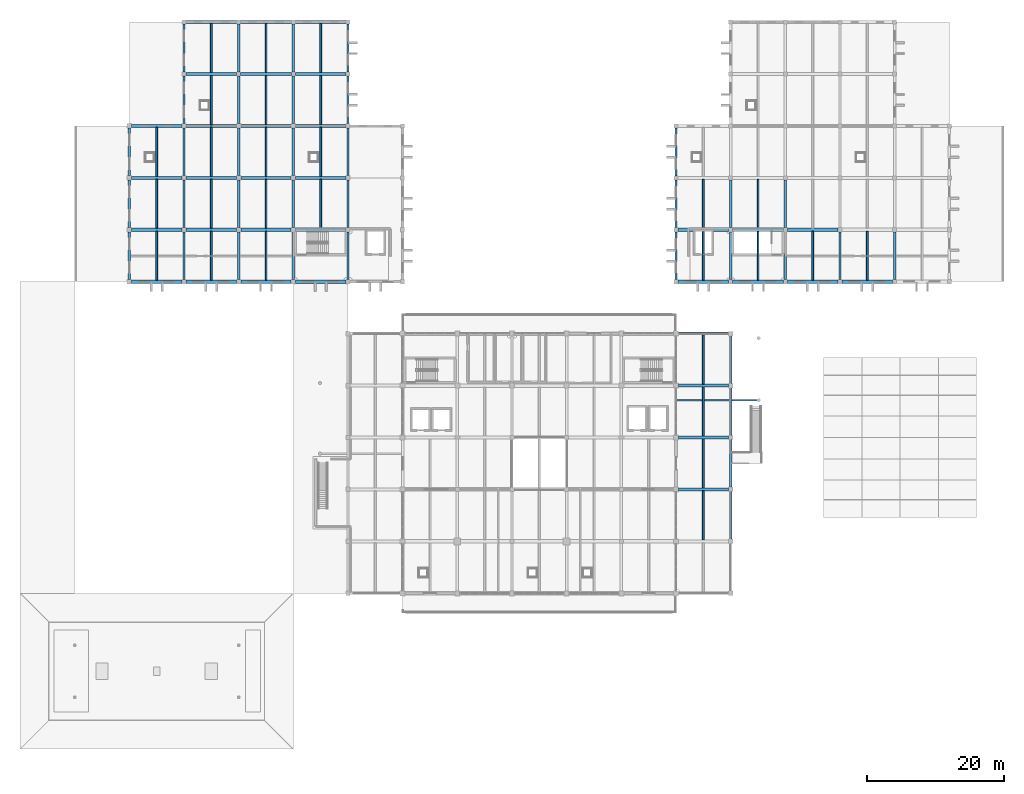
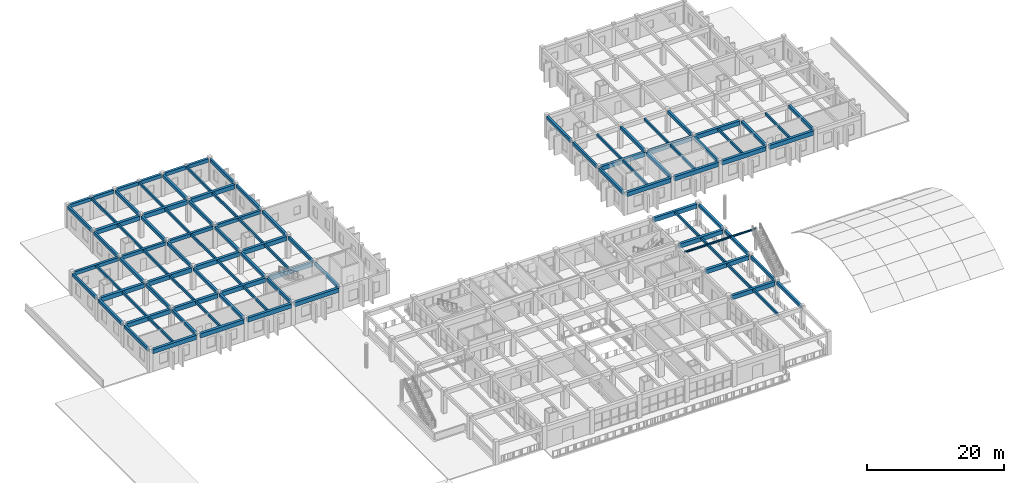
# One storey, part 30 of 63: 97 beams.
"""IFC4 building model written with IfcOpenShell, lengths in metres."""

from ifc_helpers import new_model, si_unit, direction, frame, origin, origin_2d, place, context, subcontext, project, spatial, rectangle, i_section, extrude, material, material_profile, profile_set, type_object, element, save


model = new_model("IFC4")

# Units and contexts
model_context = context("Model", 3, precision=1e-05, world=origin(), true_north=direction((0.0, 1.0)))
body_context = subcontext(model_context, "Body", "Model", "MODEL_VIEW")
ifc_project = project(units=[si_unit("LENGTHUNIT", "METRE"), si_unit("AREAUNIT", "SQUARE_METRE"), si_unit("VOLUMEUNIT", "CUBIC_METRE"), si_unit("PLANEANGLEUNIT", "RADIAN"), si_unit("MASSUNIT", "GRAM", prefix="KILO")], contexts=[model_context])

# Site, building, storey
site_placement = place(None, origin())
site = spatial("IfcSite", under=ifc_project, at=site_placement, CompositionType="ELEMENT")
building_placement = place(site_placement, origin())
building = spatial("IfcBuilding", under=site, at=building_placement, Name="Zantavel Square City Hall", CompositionType="ELEMENT")
storey_placement = place(building_placement, frame((0.0, 0.0, 14.699951171875)))
storey = spatial("IfcBuildingStorey", under=building, at=storey_placement, Name="L04", CompositionType="ELEMENT", Elevation=14.699951171875)

# Beams
ifc_material_1 = material(Name="Concrete C35/45", Category="concrete")
ifc_material_profile_1 = material_profile(ifc_material_1, rectangle(XDim=0.25, YDim=0.449951171875, at=origin_2d()), Name="RC 250x450")
ifc_profile_set_1 = profile_set([ifc_material_profile_1], Name="Concrete C35/45")
beam_type_1 = type_object("IfcBeamType", Name="Light Floor Joist RC 250x450 C35/45", PredefinedType="JOIST", material=ifc_profile_set_1)
beam_1_placement = place(storey_placement, frame((28.0, 76.22509765625, 3.695068359375), z_axis=(0.0, 1.0, 0.0), x_axis=(-1.0, 0.0, 0.0)))
element("IfcBeam", 1, at=beam_1_placement, inside=storey, type_object=beam_type_1, Name="L04 Floor Joist JST-L04-0280-0760", PredefinedType="JOIST", context=body_context, shape_type="SweptSolid", body=[
    extrude(rectangle(XDim=0.25, YDim=0.449951171875, at=origin_2d()), origin(), (0.0, 0.0, 1.0), 7.14990234375),
])
beam_2_placement = place(storey_placement, frame((28.0, 83.824951171875, 3.695068359375), z_axis=(0.0, 1.0, 0.0), x_axis=(-1.0, 0.0, 0.0)))
element("IfcBeam", 2, at=beam_2_placement, inside=storey, type_object=beam_type_1, Name="L04 Floor Joist JST-L04-0280-0836", PredefinedType="JOIST", context=body_context, shape_type="SweptSolid", body=[
    extrude(rectangle(XDim=0.25, YDim=0.449951171875, at=origin_2d()), origin(), (0.0, 0.0, 1.0), 7.150146484375),
])
beam_3_placement = place(storey_placement, frame((28.0, 91.425048828125, 3.695068359375), z_axis=(0.0, 1.0, 0.0), x_axis=(-1.0, 0.0, 0.0)))
element("IfcBeam", 3, at=beam_3_placement, inside=storey, type_object=beam_type_1, Name="L04 Floor Joist JST-L04-0280-0912", PredefinedType="JOIST", context=body_context, shape_type="SweptSolid", body=[
    extrude(rectangle(XDim=0.25, YDim=0.449951171875, at=origin_2d()), origin(), (0.0, 0.0, 1.0), 7.175048828125),
])
beam_4_placement = place(storey_placement, frame((36.0, 76.22509765625, 3.695068359375), z_axis=(0.0, 1.0, 0.0), x_axis=(-1.0, 0.0, 0.0)))
element("IfcBeam", 4, at=beam_4_placement, inside=storey, type_object=beam_type_1, Name="L04 Floor Joist JST-L04-0360-0760", PredefinedType="JOIST", context=body_context, shape_type="SweptSolid", body=[
    extrude(rectangle(XDim=0.25, YDim=0.449951171875, at=origin_2d()), origin(), (0.0, 0.0, 1.0), 7.14990234375),
])
beam_5_placement = place(storey_placement, frame((36.0, 83.824951171875, 3.695068359375), z_axis=(0.0, 1.0, 0.0), x_axis=(-1.0, 0.0, 0.0)))
element("IfcBeam", 5, at=beam_5_placement, inside=storey, type_object=beam_type_1, Name="L04 Floor Joist JST-L04-0360-0836", PredefinedType="JOIST", context=body_context, shape_type="SweptSolid", body=[
    extrude(rectangle(XDim=0.25, YDim=0.449951171875, at=origin_2d()), origin(), (0.0, 0.0, 1.0), 7.150146484375),
])
for number, where, z_axis, x_axis, name in (
    (6, (36.0, 91.425048828125, 3.695068359375), (0.0, 1.0, 0.0), (-1.0, 0.0, 0.0), "L04 Floor Joist JST-L04-0360-0912"),
    (7, (36.0, 99.0, 3.695068359375), (0.0, 1.0, 0.0), (-1.0, 0.0, 0.0), "L04 Floor Joist JST-L04-0360-0988"),
    (8, (36.0, 106.625, 3.695068359375), (0.0, 1.0, 0.0), (-1.0, 0.0, 0.0), "L04 Floor Joist JST-L04-0360-1064"),
):
    element("IfcBeam", number, at=place(storey_placement, frame(where, z_axis=z_axis, x_axis=x_axis)), inside=storey, type_object=beam_type_1, Name=name, PredefinedType="JOIST", context=body_context, shape_type="SweptSolid", body=[
        extrude(rectangle(XDim=0.25, YDim=0.449951171875, at=origin_2d()), origin(), (0.0, 0.0, 1.0), 7.175048828125),
    ])
beam_6_placement = place(storey_placement, frame((44.0, 76.22509765625, 3.695068359375), z_axis=(0.0, 1.0, 0.0), x_axis=(-1.0, 0.0, 0.0)))
element("IfcBeam", 9, at=beam_6_placement, inside=storey, type_object=beam_type_1, Name="L04 Floor Joist JST-L04-0440-0760", PredefinedType="JOIST", context=body_context, shape_type="SweptSolid", body=[
    extrude(rectangle(XDim=0.25, YDim=0.449951171875, at=origin_2d()), origin(), (0.0, 0.0, 1.0), 7.14990234375),
])
beam_7_placement = place(storey_placement, frame((44.0, 83.824951171875, 3.695068359375), z_axis=(0.0, 1.0, 0.0), x_axis=(-1.0, 0.0, 0.0)))
element("IfcBeam", 10, at=beam_7_placement, inside=storey, type_object=beam_type_1, Name="L04 Floor Joist JST-L04-0440-0836", PredefinedType="JOIST", context=body_context, shape_type="SweptSolid", body=[
    extrude(rectangle(XDim=0.25, YDim=0.449951171875, at=origin_2d()), origin(), (0.0, 0.0, 1.0), 7.150146484375),
])
for number, where, z_axis, x_axis, name in (
    (11, (44.0, 91.425048828125, 3.695068359375), (0.0, 1.0, 0.0), (-1.0, 0.0, 0.0), "L04 Floor Joist JST-L04-0440-0912"),
    (12, (44.0, 99.0, 3.695068359375), (0.0, 1.0, 0.0), (-1.0, 0.0, 0.0), "L04 Floor Joist JST-L04-0440-0988"),
    (13, (44.0, 106.625, 3.695068359375), (0.0, 1.0, 0.0), (-1.0, 0.0, 0.0), "L04 Floor Joist JST-L04-0440-1064"),
):
    element("IfcBeam", number, at=place(storey_placement, frame(where, z_axis=z_axis, x_axis=x_axis)), inside=storey, type_object=beam_type_1, Name=name, PredefinedType="JOIST", context=body_context, shape_type="SweptSolid", body=[
        extrude(rectangle(XDim=0.25, YDim=0.449951171875, at=origin_2d()), origin(), (0.0, 0.0, 1.0), 7.175048828125),
    ])
beam_8_placement = place(storey_placement, frame((52.0, 83.824951171875, 3.695068359375), z_axis=(0.0, 1.0, 0.0), x_axis=(-1.0, 0.0, 0.0)))
element("IfcBeam", 14, at=beam_8_placement, inside=storey, type_object=beam_type_1, Name="L04 Floor Joist JST-L04-0520-0836", PredefinedType="JOIST", context=body_context, shape_type="SweptSolid", body=[
    extrude(rectangle(XDim=0.25, YDim=0.449951171875, at=origin_2d()), origin(), (0.0, 0.0, 1.0), 7.150146484375),
])
for number, where, z_axis, x_axis, name in (
    (15, (52.0, 91.425048828125, 3.695068359375), (0.0, 1.0, 0.0), (-1.0, 0.0, 0.0), "L04 Floor Joist JST-L04-0520-0912"),
    (16, (52.0, 99.0, 3.695068359375), (0.0, 1.0, 0.0), (-1.0, 0.0, 0.0), "L04 Floor Joist JST-L04-0520-0988"),
    (17, (52.0, 106.625, 3.695068359375), (0.0, 1.0, 0.0), (-1.0, 0.0, 0.0), "L04 Floor Joist JST-L04-0520-1064"),
):
    element("IfcBeam", number, at=place(storey_placement, frame(where, z_axis=z_axis, x_axis=x_axis)), inside=storey, type_object=beam_type_1, Name=name, PredefinedType="JOIST", context=body_context, shape_type="SweptSolid", body=[
        extrude(rectangle(XDim=0.25, YDim=0.449951171875, at=origin_2d()), origin(), (0.0, 0.0, 1.0), 7.175048828125),
    ])
beam_9_placement = place(storey_placement, frame((108.0, 38.22509765625, 3.695068359375), z_axis=(0.0, 1.0, 0.0), x_axis=(-1.0, 0.0, 0.0)))
element("IfcBeam", 18, at=beam_9_placement, inside=storey, type_object=beam_type_1, Name="L04 Floor Joist JST-L04-1080-0380", PredefinedType="JOIST", context=body_context, shape_type="SweptSolid", body=[
    extrude(rectangle(XDim=0.25, YDim=0.449951171875, at=origin_2d()), origin(), (0.0, 0.0, 1.0), 7.14990234375),
])
beam_10_placement = place(storey_placement, frame((108.0, 45.824951171875, 3.695068359375), z_axis=(0.0, 1.0, 0.0), x_axis=(-1.0, 0.0, 0.0)))
element("IfcBeam", 19, at=beam_10_placement, inside=storey, type_object=beam_type_1, Name="L04 Floor Joist JST-L04-1080-0456", PredefinedType="JOIST", context=body_context, shape_type="SweptSolid", body=[
    extrude(rectangle(XDim=0.25, YDim=0.449951171875, at=origin_2d()), origin(), (0.0, 0.0, 1.0), 7.150146484375),
])
beam_11_placement = place(storey_placement, frame((108.0, 53.425048828125, 3.695068359375), z_axis=(0.0, 1.0, 0.0), x_axis=(-1.0, 0.0, 0.0)))
element("IfcBeam", 20, at=beam_11_placement, inside=storey, type_object=beam_type_1, Name="L04 Floor Joist JST-L04-1080-0532", PredefinedType="JOIST", context=body_context, shape_type="SweptSolid", body=[
    extrude(rectangle(XDim=0.25, YDim=0.449951171875, at=origin_2d()), origin(), (0.0, 0.0, 1.0), 7.14990234375),
])
beam_12_placement = place(storey_placement, frame((108.0, 61.02490234375, 3.695068359375), z_axis=(0.0, 1.0, 0.0), x_axis=(-1.0, 0.0, 0.0)))
element("IfcBeam", 21, at=beam_12_placement, inside=storey, type_object=beam_type_1, Name="L04 Floor Joist JST-L04-1080-0608", PredefinedType="JOIST", context=body_context, shape_type="SweptSolid", body=[
    extrude(rectangle(XDim=0.25, YDim=0.449951171875, at=origin_2d()), origin(), (0.0, 0.0, 1.0), 7.150146484375),
])
beam_13_placement = place(storey_placement, frame((108.0, 76.22509765625, 3.695068359375), z_axis=(0.0, 1.0, 0.0), x_axis=(-1.0, 0.0, 0.0)))
element("IfcBeam", 22, at=beam_13_placement, inside=storey, type_object=beam_type_1, Name="L04 Floor Joist JST-L04-1080-0760", PredefinedType="JOIST", context=body_context, shape_type="SweptSolid", body=[
    extrude(rectangle(XDim=0.25, YDim=0.449951171875, at=origin_2d()), origin(), (0.0, 0.0, 1.0), 7.14990234375),
])
beam_14_placement = place(storey_placement, frame((108.0, 83.824951171875, 3.695068359375), z_axis=(0.0, 1.0, 0.0), x_axis=(-1.0, 0.0, 0.0)))
element("IfcBeam", 23, at=beam_14_placement, inside=storey, type_object=beam_type_1, Name="L04 Floor Joist JST-L04-1080-0836", PredefinedType="JOIST", context=body_context, shape_type="SweptSolid", body=[
    extrude(rectangle(XDim=0.25, YDim=0.449951171875, at=origin_2d()), origin(), (0.0, 0.0, 1.0), 7.150146484375),
])
beam_15_placement = place(storey_placement, frame((116.0, 76.22509765625, 3.695068359375), z_axis=(0.0, 1.0, 0.0), x_axis=(-1.0, 0.0, 0.0)))
element("IfcBeam", 24, at=beam_15_placement, inside=storey, type_object=beam_type_1, Name="L04 Floor Joist JST-L04-1160-0760", PredefinedType="JOIST", context=body_context, shape_type="SweptSolid", body=[
    extrude(rectangle(XDim=0.25, YDim=0.449951171875, at=origin_2d()), origin(), (0.0, 0.0, 1.0), 7.14990234375),
])
beam_16_placement = place(storey_placement, frame((116.0, 83.824951171875, 3.695068359375), z_axis=(0.0, 1.0, 0.0), x_axis=(-1.0, 0.0, 0.0)))
element("IfcBeam", 25, at=beam_16_placement, inside=storey, type_object=beam_type_1, Name="L04 Floor Joist JST-L04-1160-0836", PredefinedType="JOIST", context=body_context, shape_type="SweptSolid", body=[
    extrude(rectangle(XDim=0.25, YDim=0.449951171875, at=origin_2d()), origin(), (0.0, 0.0, 1.0), 7.150146484375),
])
for number, where, z_axis, x_axis, name in (
    (26, (124.0, 76.22509765625, 3.695068359375), (0.0, 1.0, 0.0), (-1.0, 0.0, 0.0), "L04 Floor Joist JST-L04-1240-0760"),
    (27, (132.0, 76.22509765625, 3.695068359375), (0.0, 1.0, 0.0), (-1.0, 0.0, 0.0), "L04 Floor Joist JST-L04-1320-0760"),
):
    element("IfcBeam", number, at=place(storey_placement, frame(where, z_axis=z_axis, x_axis=x_axis)), inside=storey, type_object=beam_type_1, Name=name, PredefinedType="JOIST", context=body_context, shape_type="SweptSolid", body=[
        extrude(rectangle(XDim=0.25, YDim=0.449951171875, at=origin_2d()), origin(), (0.0, 0.0, 1.0), 7.14990234375),
    ])
ifc_material_profile_2 = material_profile(ifc_material_1, rectangle(XDim=0.39990234375, YDim=0.60009765625, at=origin_2d()), Name="RC 400x600")
ifc_profile_set_2 = profile_set([ifc_material_profile_2], Name="Concrete C35/45")
beam_type_2 = type_object("IfcBeamType", Name="Perimeter Spandrel RC 400x600 C35/45", PredefinedType="SPANDREL", material=ifc_profile_set_2)
for number, where, z_axis, x_axis, name in (
    (28, (24.324951171875, 98.800048828125, 3.6201171875), (1.0, 0.0, 0.0), (0.0, 1.0, 0.0), "L04 Girder BMX-L04-0240-0988"),
    (29, (32.324951171875, 98.800048828125, 3.6201171875), (1.0, 0.0, 0.0), (0.0, 1.0, 0.0), "L04 Girder BMX-L04-0320-0988"),
):
    element("IfcBeam", number, at=place(storey_placement, frame(where, z_axis=z_axis, x_axis=x_axis)), inside=storey, type_object=beam_type_2, Name=name, PredefinedType="SPANDREL", context=body_context, shape_type="SweptSolid", body=[
        extrude(rectangle(XDim=0.39990234375, YDim=0.60009765625, at=origin_2d()), origin(), (0.0, 0.0, 1.0), 7.35009765625),
    ])
beam_17_placement = place(storey_placement, frame((32.300048828125, 114.0, 3.6201171875), z_axis=(1.0, 0.0, 0.0), x_axis=(0.0, 1.0, 0.0)))
element("IfcBeam", 30, at=beam_17_placement, inside=storey, type_object=beam_type_2, Name="L04 Girder BMX-L04-0320-1140", PredefinedType="SPANDREL", context=body_context, shape_type="SweptSolid", body=[
    extrude(rectangle(XDim=0.39990234375, YDim=0.60009765625, at=origin_2d()), origin(), (0.0, 0.0, 1.0), 7.39990234375),
])
beam_18_placement = place(storey_placement, frame((40.324951171875, 98.800048828125, 3.6201171875), z_axis=(1.0, 0.0, 0.0), x_axis=(0.0, 1.0, 0.0)))
element("IfcBeam", 31, at=beam_18_placement, inside=storey, type_object=beam_type_2, Name="L04 Girder BMX-L04-0400-0988", PredefinedType="SPANDREL", context=body_context, shape_type="SweptSolid", body=[
    extrude(rectangle(XDim=0.39990234375, YDim=0.60009765625, at=origin_2d()), origin(), (0.0, 0.0, 1.0), 7.35009765625),
])
beam_19_placement = place(storey_placement, frame((40.300048828125, 114.0, 3.6201171875), z_axis=(1.0, 0.0, 0.0), x_axis=(0.0, 1.0, 0.0)))
element("IfcBeam", 32, at=beam_19_placement, inside=storey, type_object=beam_type_2, Name="L04 Girder BMX-L04-0400-1140", PredefinedType="SPANDREL", context=body_context, shape_type="SweptSolid", body=[
    extrude(rectangle(XDim=0.39990234375, YDim=0.60009765625, at=origin_2d()), origin(), (0.0, 0.0, 1.0), 7.39990234375),
])
beam_20_placement = place(storey_placement, frame((48.324951171875, 98.800048828125, 3.6201171875), z_axis=(1.0, 0.0, 0.0), x_axis=(0.0, 1.0, 0.0)))
element("IfcBeam", 33, at=beam_20_placement, inside=storey, type_object=beam_type_2, Name="L04 Girder BMX-L04-0480-0988", PredefinedType="SPANDREL", context=body_context, shape_type="SweptSolid", body=[
    extrude(rectangle(XDim=0.39990234375, YDim=0.60009765625, at=origin_2d()), origin(), (0.0, 0.0, 1.0), 7.35009765625),
])
beam_21_placement = place(storey_placement, frame((48.300048828125, 114.0, 3.6201171875), z_axis=(1.0, 0.0, 0.0), x_axis=(0.0, 1.0, 0.0)))
element("IfcBeam", 34, at=beam_21_placement, inside=storey, type_object=beam_type_2, Name="L04 Girder BMX-L04-0480-1140", PredefinedType="SPANDREL", context=body_context, shape_type="SweptSolid", body=[
    extrude(rectangle(XDim=0.39990234375, YDim=0.60009765625, at=origin_2d()), origin(), (0.0, 0.0, 1.0), 7.39990234375),
])
ifc_material_profile_3 = material_profile(ifc_material_1, rectangle(XDim=0.449951171875, YDim=0.75, at=origin_2d()), Name="RC 450x750")
ifc_profile_set_3 = profile_set([ifc_material_profile_3], Name="Concrete C35/45")
beam_type_3 = type_object("IfcBeamType", Name="Primary Girder RC 450x750 C35/45", PredefinedType="BEAM", material=ifc_profile_set_3)
for number, where, z_axis, x_axis, name in (
    (35, (24.324951171875, 76.0, 3.545166015625), (1.0, 0.0, 0.0), (0.0, 1.0, 0.0), "L04 Girder BMX-L04-0240-0760"),
    (36, (24.324951171875, 83.60009765625, 3.545166015625), (1.0, 0.0, 0.0), (0.0, 1.0, 0.0), "L04 Girder BMX-L04-0240-0836"),
    (37, (24.324951171875, 91.199951171875, 3.545166015625), (1.0, 0.0, 0.0), (0.0, 1.0, 0.0), "L04 Girder BMX-L04-0240-0912"),
    (38, (32.324951171875, 76.0, 3.545166015625), (1.0, 0.0, 0.0), (0.0, 1.0, 0.0), "L04 Girder BMX-L04-0320-0760"),
    (39, (32.324951171875, 83.60009765625, 3.545166015625), (1.0, 0.0, 0.0), (0.0, 1.0, 0.0), "L04 Girder BMX-L04-0320-0836"),
    (40, (32.324951171875, 91.199951171875, 3.545166015625), (1.0, 0.0, 0.0), (0.0, 1.0, 0.0), "L04 Girder BMX-L04-0320-0912"),
):
    element("IfcBeam", number, at=place(storey_placement, frame(where, z_axis=z_axis, x_axis=x_axis)), inside=storey, type_object=beam_type_3, Name=name, PredefinedType="BEAM", context=body_context, shape_type="SweptSolid", body=[
        extrude(rectangle(XDim=0.449951171875, YDim=0.75, at=origin_2d()), origin(), (0.0, 0.0, 1.0), 7.35009765625),
    ])
beam_22_placement = place(storey_placement, frame((32.300048828125, 106.39990234375, 3.545166015625), z_axis=(1.0, 0.0, 0.0), x_axis=(0.0, 1.0, 0.0)))
element("IfcBeam", 41, at=beam_22_placement, inside=storey, type_object=beam_type_3, Name="L04 Girder BMX-L04-0320-1064", PredefinedType="BEAM", context=body_context, shape_type="SweptSolid", body=[
    extrude(rectangle(XDim=0.449951171875, YDim=0.75, at=origin_2d()), origin(), (0.0, 0.0, 1.0), 7.39990234375),
])
for number, where, z_axis, x_axis, name in (
    (42, (40.324951171875, 76.0, 3.545166015625), (1.0, 0.0, 0.0), (0.0, 1.0, 0.0), "L04 Girder BMX-L04-0400-0760"),
    (43, (40.324951171875, 83.60009765625, 3.545166015625), (1.0, 0.0, 0.0), (0.0, 1.0, 0.0), "L04 Girder BMX-L04-0400-0836"),
    (44, (40.324951171875, 91.199951171875, 3.545166015625), (1.0, 0.0, 0.0), (0.0, 1.0, 0.0), "L04 Girder BMX-L04-0400-0912"),
):
    element("IfcBeam", number, at=place(storey_placement, frame(where, z_axis=z_axis, x_axis=x_axis)), inside=storey, type_object=beam_type_3, Name=name, PredefinedType="BEAM", context=body_context, shape_type="SweptSolid", body=[
        extrude(rectangle(XDim=0.449951171875, YDim=0.75, at=origin_2d()), origin(), (0.0, 0.0, 1.0), 7.35009765625),
    ])
beam_23_placement = place(storey_placement, frame((40.300048828125, 106.39990234375, 3.545166015625), z_axis=(1.0, 0.0, 0.0), x_axis=(0.0, 1.0, 0.0)))
element("IfcBeam", 45, at=beam_23_placement, inside=storey, type_object=beam_type_3, Name="L04 Girder BMX-L04-0400-1064", PredefinedType="BEAM", context=body_context, shape_type="SweptSolid", body=[
    extrude(rectangle(XDim=0.449951171875, YDim=0.75, at=origin_2d()), origin(), (0.0, 0.0, 1.0), 7.39990234375),
])
for number, where, z_axis, x_axis, name in (
    (46, (48.324951171875, 76.0, 3.545166015625), (1.0, 0.0, 0.0), (0.0, 1.0, 0.0), "L04 Girder BMX-L04-0480-0760"),
    (47, (48.324951171875, 83.60009765625, 3.545166015625), (1.0, 0.0, 0.0), (0.0, 1.0, 0.0), "L04 Girder BMX-L04-0480-0836"),
    (48, (48.324951171875, 91.199951171875, 3.545166015625), (1.0, 0.0, 0.0), (0.0, 1.0, 0.0), "L04 Girder BMX-L04-0480-0912"),
):
    element("IfcBeam", number, at=place(storey_placement, frame(where, z_axis=z_axis, x_axis=x_axis)), inside=storey, type_object=beam_type_3, Name=name, PredefinedType="BEAM", context=body_context, shape_type="SweptSolid", body=[
        extrude(rectangle(XDim=0.449951171875, YDim=0.75, at=origin_2d()), origin(), (0.0, 0.0, 1.0), 7.35009765625),
    ])
beam_24_placement = place(storey_placement, frame((48.300048828125, 106.39990234375, 3.545166015625), z_axis=(1.0, 0.0, 0.0), x_axis=(0.0, 1.0, 0.0)))
element("IfcBeam", 49, at=beam_24_placement, inside=storey, type_object=beam_type_3, Name="L04 Girder BMX-L04-0480-1064", PredefinedType="BEAM", context=body_context, shape_type="SweptSolid", body=[
    extrude(rectangle(XDim=0.449951171875, YDim=0.75, at=origin_2d()), origin(), (0.0, 0.0, 1.0), 7.39990234375),
])
for number, where, z_axis, x_axis, name in (
    (50, (104.375, 45.60009765625, 3.545166015625), (1.0, 0.0, 0.0), (0.0, 1.0, 0.0), "L04 Girder BMX-L04-1040-0456"),
    (51, (104.375, 53.199951171875, 3.545166015625), (1.0, 0.0, 0.0), (0.0, 1.0, 0.0), "L04 Girder BMX-L04-1040-0532"),
    (52, (104.375, 60.800048828125, 3.545166015625), (1.0, 0.0, 0.0), (0.0, 1.0, 0.0), "L04 Girder BMX-L04-1040-0608"),
    (53, (104.375, 68.39990234375, 3.545166015625), (1.0, 0.0, 0.0), (0.0, 1.0, 0.0), "L04 Girder BMX-L04-1040-0684"),
):
    element("IfcBeam", number, at=place(storey_placement, frame(where, z_axis=z_axis, x_axis=x_axis)), inside=storey, type_object=beam_type_3, Name=name, PredefinedType="BEAM", context=body_context, shape_type="SweptSolid", body=[
        extrude(rectangle(XDim=0.449951171875, YDim=0.75, at=origin_2d()), origin(), (0.0, 0.0, 1.0), 7.300048828125),
    ])
for number, where, z_axis, x_axis, name in (
    (54, (104.300048828125, 76.0, 3.545166015625), (1.0, 0.0, 0.0), (0.0, 1.0, 0.0), "L04 Girder BMX-L04-1040-0760"),
    (55, (104.300048828125, 83.60009765625, 3.545166015625), (1.0, 0.0, 0.0), (0.0, 1.0, 0.0), "L04 Girder BMX-L04-1040-0836"),
    (56, (112.300048828125, 76.0, 3.545166015625), (1.0, 0.0, 0.0), (0.0, 1.0, 0.0), "L04 Girder BMX-L04-1120-0760"),
    (57, (112.300048828125, 83.60009765625, 3.545166015625), (1.0, 0.0, 0.0), (0.0, 1.0, 0.0), "L04 Girder BMX-L04-1120-0836"),
    (58, (120.300048828125, 76.0, 3.545166015625), (1.0, 0.0, 0.0), (0.0, 1.0, 0.0), "L04 Girder BMX-L04-1200-0760"),
    (59, (120.300048828125, 83.60009765625, 3.545166015625), (1.0, 0.0, 0.0), (0.0, 1.0, 0.0), "L04 Girder BMX-L04-1200-0836"),
    (60, (128.300048828125, 76.0, 3.545166015625), (1.0, 0.0, 0.0), (0.0, 1.0, 0.0), "L04 Girder BMX-L04-1280-0760"),
):
    element("IfcBeam", number, at=place(storey_placement, frame(where, z_axis=z_axis, x_axis=x_axis)), inside=storey, type_object=beam_type_3, Name=name, PredefinedType="BEAM", context=body_context, shape_type="SweptSolid", body=[
        extrude(rectangle(XDim=0.449951171875, YDim=0.75, at=origin_2d()), origin(), (0.0, 0.0, 1.0), 7.39990234375),
    ])
ifc_material_profile_4 = material_profile(ifc_material_1, rectangle(XDim=0.35009765625, YDim=0.550048828125, at=origin_2d()), Name="RC 350x550")
ifc_profile_set_4 = profile_set([ifc_material_profile_4], Name="Concrete C35/45")
beam_type_4 = type_object("IfcBeamType", Name="Secondary Beam RC 350x550 C35/45", PredefinedType="BEAM", material=ifc_profile_set_4)
for number, where, z_axis, x_axis, name in (
    (61, (24.0, 76.324951171875, 3.64501953125), (0.0, 1.0, 0.0), (-1.0, 0.0, 0.0), "L04 Beam BMY-L04-0240-0760"),
    (62, (24.0, 83.925048828125, 3.64501953125), (0.0, 1.0, 0.0), (-1.0, 0.0, 0.0), "L04 Beam BMY-L04-0240-0836"),
):
    element("IfcBeam", number, at=place(storey_placement, frame(where, z_axis=z_axis, x_axis=x_axis)), inside=storey, type_object=beam_type_4, Name=name, PredefinedType="BEAM", context=body_context, shape_type="SweptSolid", body=[
        extrude(rectangle(XDim=0.35009765625, YDim=0.550048828125, at=origin_2d()), origin(), (0.0, 0.0, 1.0), 6.949951171875),
    ])
beam_25_placement = place(storey_placement, frame((24.0, 91.52490234375, 3.64501953125), z_axis=(0.0, 1.0, 0.0), x_axis=(-1.0, 0.0, 0.0)))
element("IfcBeam", 63, at=beam_25_placement, inside=storey, type_object=beam_type_4, Name="L04 Beam BMY-L04-0240-0912", PredefinedType="BEAM", context=body_context, shape_type="SweptSolid", body=[
    extrude(rectangle(XDim=0.35009765625, YDim=0.550048828125, at=origin_2d()), origin(), (0.0, 0.0, 1.0), 6.9501953125),
])
for number, where, z_axis, x_axis, name in (
    (64, (32.0, 76.324951171875, 3.64501953125), (0.0, 1.0, 0.0), (-1.0, 0.0, 0.0), "L04 Beam BMY-L04-0320-0760"),
    (65, (32.0, 83.925048828125, 3.64501953125), (0.0, 1.0, 0.0), (-1.0, 0.0, 0.0), "L04 Beam BMY-L04-0320-0836"),
):
    element("IfcBeam", number, at=place(storey_placement, frame(where, z_axis=z_axis, x_axis=x_axis)), inside=storey, type_object=beam_type_4, Name=name, PredefinedType="BEAM", context=body_context, shape_type="SweptSolid", body=[
        extrude(rectangle(XDim=0.35009765625, YDim=0.550048828125, at=origin_2d()), origin(), (0.0, 0.0, 1.0), 6.949951171875),
    ])
beam_26_placement = place(storey_placement, frame((32.0, 91.52490234375, 3.64501953125), z_axis=(0.0, 1.0, 0.0), x_axis=(-1.0, 0.0, 0.0)))
element("IfcBeam", 66, at=beam_26_placement, inside=storey, type_object=beam_type_4, Name="L04 Beam BMY-L04-0320-0912", PredefinedType="BEAM", context=body_context, shape_type="SweptSolid", body=[
    extrude(rectangle(XDim=0.35009765625, YDim=0.550048828125, at=origin_2d()), origin(), (0.0, 0.0, 1.0), 6.9501953125),
])
beam_27_placement = place(storey_placement, frame((32.0, 99.125, 3.64501953125), z_axis=(0.0, 1.0, 0.0), x_axis=(-1.0, 0.0, 0.0)))
element("IfcBeam", 67, at=beam_27_placement, inside=storey, type_object=beam_type_4, Name="L04 Beam BMY-L04-0320-0988", PredefinedType="BEAM", context=body_context, shape_type="SweptSolid", body=[
    extrude(rectangle(XDim=0.35009765625, YDim=0.550048828125, at=origin_2d()), origin(), (0.0, 0.0, 1.0), 6.97509765625),
])
beam_28_placement = place(storey_placement, frame((32.0, 106.699951171875, 3.64501953125), z_axis=(0.0, 1.0, 0.0), x_axis=(-1.0, 0.0, 0.0)))
element("IfcBeam", 68, at=beam_28_placement, inside=storey, type_object=beam_type_4, Name="L04 Beam BMY-L04-0320-1064", PredefinedType="BEAM", context=body_context, shape_type="SweptSolid", body=[
    extrude(rectangle(XDim=0.35009765625, YDim=0.550048828125, at=origin_2d()), origin(), (0.0, 0.0, 1.0), 7.0),
])
for number, where, z_axis, x_axis, name in (
    (69, (40.0, 76.324951171875, 3.64501953125), (0.0, 1.0, 0.0), (-1.0, 0.0, 0.0), "L04 Beam BMY-L04-0400-0760"),
    (70, (40.0, 83.925048828125, 3.64501953125), (0.0, 1.0, 0.0), (-1.0, 0.0, 0.0), "L04 Beam BMY-L04-0400-0836"),
):
    element("IfcBeam", number, at=place(storey_placement, frame(where, z_axis=z_axis, x_axis=x_axis)), inside=storey, type_object=beam_type_4, Name=name, PredefinedType="BEAM", context=body_context, shape_type="SweptSolid", body=[
        extrude(rectangle(XDim=0.35009765625, YDim=0.550048828125, at=origin_2d()), origin(), (0.0, 0.0, 1.0), 6.949951171875),
    ])
beam_29_placement = place(storey_placement, frame((40.0, 91.52490234375, 3.64501953125), z_axis=(0.0, 1.0, 0.0), x_axis=(-1.0, 0.0, 0.0)))
element("IfcBeam", 71, at=beam_29_placement, inside=storey, type_object=beam_type_4, Name="L04 Beam BMY-L04-0400-0912", PredefinedType="BEAM", context=body_context, shape_type="SweptSolid", body=[
    extrude(rectangle(XDim=0.35009765625, YDim=0.550048828125, at=origin_2d()), origin(), (0.0, 0.0, 1.0), 6.9501953125),
])
beam_30_placement = place(storey_placement, frame((40.0, 99.125, 3.64501953125), z_axis=(0.0, 1.0, 0.0), x_axis=(-1.0, 0.0, 0.0)))
element("IfcBeam", 72, at=beam_30_placement, inside=storey, type_object=beam_type_4, Name="L04 Beam BMY-L04-0400-0988", PredefinedType="BEAM", context=body_context, shape_type="SweptSolid", body=[
    extrude(rectangle(XDim=0.35009765625, YDim=0.550048828125, at=origin_2d()), origin(), (0.0, 0.0, 1.0), 6.97509765625),
])
beam_31_placement = place(storey_placement, frame((40.0, 106.699951171875, 3.64501953125), z_axis=(0.0, 1.0, 0.0), x_axis=(-1.0, 0.0, 0.0)))
element("IfcBeam", 73, at=beam_31_placement, inside=storey, type_object=beam_type_4, Name="L04 Beam BMY-L04-0400-1064", PredefinedType="BEAM", context=body_context, shape_type="SweptSolid", body=[
    extrude(rectangle(XDim=0.35009765625, YDim=0.550048828125, at=origin_2d()), origin(), (0.0, 0.0, 1.0), 7.0),
])
for number, where, z_axis, x_axis, name in (
    (74, (48.0, 76.324951171875, 3.64501953125), (0.0, 1.0, 0.0), (-1.0, 0.0, 0.0), "L04 Beam BMY-L04-0480-0760"),
    (75, (48.0, 83.925048828125, 3.64501953125), (0.0, 1.0, 0.0), (-1.0, 0.0, 0.0), "L04 Beam BMY-L04-0480-0836"),
):
    element("IfcBeam", number, at=place(storey_placement, frame(where, z_axis=z_axis, x_axis=x_axis)), inside=storey, type_object=beam_type_4, Name=name, PredefinedType="BEAM", context=body_context, shape_type="SweptSolid", body=[
        extrude(rectangle(XDim=0.35009765625, YDim=0.550048828125, at=origin_2d()), origin(), (0.0, 0.0, 1.0), 6.949951171875),
    ])
beam_32_placement = place(storey_placement, frame((48.0, 91.52490234375, 3.64501953125), z_axis=(0.0, 1.0, 0.0), x_axis=(-1.0, 0.0, 0.0)))
element("IfcBeam", 76, at=beam_32_placement, inside=storey, type_object=beam_type_4, Name="L04 Beam BMY-L04-0480-0912", PredefinedType="BEAM", context=body_context, shape_type="SweptSolid", body=[
    extrude(rectangle(XDim=0.35009765625, YDim=0.550048828125, at=origin_2d()), origin(), (0.0, 0.0, 1.0), 6.9501953125),
])
beam_33_placement = place(storey_placement, frame((48.0, 99.125, 3.64501953125), z_axis=(0.0, 1.0, 0.0), x_axis=(-1.0, 0.0, 0.0)))
element("IfcBeam", 77, at=beam_33_placement, inside=storey, type_object=beam_type_4, Name="L04 Beam BMY-L04-0480-0988", PredefinedType="BEAM", context=body_context, shape_type="SweptSolid", body=[
    extrude(rectangle(XDim=0.35009765625, YDim=0.550048828125, at=origin_2d()), origin(), (0.0, 0.0, 1.0), 6.97509765625),
])
beam_34_placement = place(storey_placement, frame((48.0, 106.699951171875, 3.64501953125), z_axis=(0.0, 1.0, 0.0), x_axis=(-1.0, 0.0, 0.0)))
element("IfcBeam", 78, at=beam_34_placement, inside=storey, type_object=beam_type_4, Name="L04 Beam BMY-L04-0480-1064", PredefinedType="BEAM", context=body_context, shape_type="SweptSolid", body=[
    extrude(rectangle(XDim=0.35009765625, YDim=0.550048828125, at=origin_2d()), origin(), (0.0, 0.0, 1.0), 7.0),
])
for number, where, z_axis, x_axis, name in (
    (79, (56.0, 76.324951171875, 3.64501953125), (0.0, 1.0, 0.0), (-1.0, 0.0, 0.0), "L04 Beam BMY-L04-0560-0760"),
    (80, (56.0, 83.925048828125, 3.64501953125), (0.0, 1.0, 0.0), (-1.0, 0.0, 0.0), "L04 Beam BMY-L04-0560-0836"),
):
    element("IfcBeam", number, at=place(storey_placement, frame(where, z_axis=z_axis, x_axis=x_axis)), inside=storey, type_object=beam_type_4, Name=name, PredefinedType="BEAM", context=body_context, shape_type="SweptSolid", body=[
        extrude(rectangle(XDim=0.35009765625, YDim=0.550048828125, at=origin_2d()), origin(), (0.0, 0.0, 1.0), 6.949951171875),
    ])
beam_35_placement = place(storey_placement, frame((56.0, 91.52490234375, 3.64501953125), z_axis=(0.0, 1.0, 0.0), x_axis=(-1.0, 0.0, 0.0)))
element("IfcBeam", 81, at=beam_35_placement, inside=storey, type_object=beam_type_4, Name="L04 Beam BMY-L04-0560-0912", PredefinedType="BEAM", context=body_context, shape_type="SweptSolid", body=[
    extrude(rectangle(XDim=0.35009765625, YDim=0.550048828125, at=origin_2d()), origin(), (0.0, 0.0, 1.0), 6.9501953125),
])
beam_36_placement = place(storey_placement, frame((56.0, 99.125, 3.64501953125), z_axis=(0.0, 1.0, 0.0), x_axis=(-1.0, 0.0, 0.0)))
element("IfcBeam", 82, at=beam_36_placement, inside=storey, type_object=beam_type_4, Name="L04 Beam BMY-L04-0560-0988", PredefinedType="BEAM", context=body_context, shape_type="SweptSolid", body=[
    extrude(rectangle(XDim=0.35009765625, YDim=0.550048828125, at=origin_2d()), origin(), (0.0, 0.0, 1.0), 6.97509765625),
])
for number, where, z_axis, x_axis, name in (
    (83, (56.0, 106.699951171875, 3.64501953125), (0.0, 1.0, 0.0), (-1.0, 0.0, 0.0), "L04 Beam BMY-L04-0560-1064"),
    (84, (104.0, 76.300048828125, 3.64501953125), (0.0, 1.0, 0.0), (-1.0, 0.0, 0.0), "L04 Beam BMY-L04-1040-0760"),
    (85, (104.0, 83.89990234375, 3.64501953125), (0.0, 1.0, 0.0), (-1.0, 0.0, 0.0), "L04 Beam BMY-L04-1040-0836"),
    (86, (104.0, 91.5, 3.64501953125), (0.0, 1.0, 0.0), (-1.0, 0.0, 0.0), "L04 Beam BMY-L04-1040-0912"),
):
    element("IfcBeam", number, at=place(storey_placement, frame(where, z_axis=z_axis, x_axis=x_axis)), inside=storey, type_object=beam_type_4, Name=name, PredefinedType="BEAM", context=body_context, shape_type="SweptSolid", body=[
        extrude(rectangle(XDim=0.35009765625, YDim=0.550048828125, at=origin_2d()), origin(), (0.0, 0.0, 1.0), 7.0),
    ])
for number, where, z_axis, x_axis, name in (
    (87, (112.0, 38.324951171875, 3.64501953125), (0.0, 1.0, 0.0), (-1.0, 0.0, 0.0), "L04 Beam BMY-L04-1120-0380"),
    (88, (112.0, 45.925048828125, 3.64501953125), (0.0, 1.0, 0.0), (-1.0, 0.0, 0.0), "L04 Beam BMY-L04-1120-0456"),
):
    element("IfcBeam", number, at=place(storey_placement, frame(where, z_axis=z_axis, x_axis=x_axis)), inside=storey, type_object=beam_type_4, Name=name, PredefinedType="BEAM", context=body_context, shape_type="SweptSolid", body=[
        extrude(rectangle(XDim=0.35009765625, YDim=0.550048828125, at=origin_2d()), origin(), (0.0, 0.0, 1.0), 6.949951171875),
    ])
beam_37_placement = place(storey_placement, frame((112.0, 53.52490234375, 3.64501953125), z_axis=(0.0, 1.0, 0.0), x_axis=(-1.0, 0.0, 0.0)))
element("IfcBeam", 89, at=beam_37_placement, inside=storey, type_object=beam_type_4, Name="L04 Beam BMY-L04-1120-0532", PredefinedType="BEAM", context=body_context, shape_type="SweptSolid", body=[
    extrude(rectangle(XDim=0.35009765625, YDim=0.550048828125, at=origin_2d()), origin(), (0.0, 0.0, 1.0), 6.9501953125),
])
beam_38_placement = place(storey_placement, frame((112.0, 61.125, 3.64501953125), z_axis=(0.0, 1.0, 0.0), x_axis=(-1.0, 0.0, 0.0)))
element("IfcBeam", 90, at=beam_38_placement, inside=storey, type_object=beam_type_4, Name="L04 Beam BMY-L04-1120-0608", PredefinedType="BEAM", context=body_context, shape_type="SweptSolid", body=[
    extrude(rectangle(XDim=0.35009765625, YDim=0.550048828125, at=origin_2d()), origin(), (0.0, 0.0, 1.0), 6.949951171875),
])
for number, where, z_axis, x_axis, name in (
    (91, (112.0, 76.300048828125, 3.64501953125), (0.0, 1.0, 0.0), (-1.0, 0.0, 0.0), "L04 Beam BMY-L04-1120-0760"),
    (92, (112.0, 83.89990234375, 3.64501953125), (0.0, 1.0, 0.0), (-1.0, 0.0, 0.0), "L04 Beam BMY-L04-1120-0836"),
    (93, (120.0, 76.300048828125, 3.64501953125), (0.0, 1.0, 0.0), (-1.0, 0.0, 0.0), "L04 Beam BMY-L04-1200-0760"),
    (94, (120.0, 83.89990234375, 3.64501953125), (0.0, 1.0, 0.0), (-1.0, 0.0, 0.0), "L04 Beam BMY-L04-1200-0836"),
    (95, (128.0, 76.300048828125, 3.64501953125), (0.0, 1.0, 0.0), (-1.0, 0.0, 0.0), "L04 Beam BMY-L04-1280-0760"),
    (96, (136.0, 76.300048828125, 3.64501953125), (0.0, 1.0, 0.0), (-1.0, 0.0, 0.0), "L04 Beam BMY-L04-1360-0760"),
):
    element("IfcBeam", number, at=place(storey_placement, frame(where, z_axis=z_axis, x_axis=x_axis)), inside=storey, type_object=beam_type_4, Name=name, PredefinedType="BEAM", context=body_context, shape_type="SweptSolid", body=[
        extrude(rectangle(XDim=0.35009765625, YDim=0.550048828125, at=origin_2d()), origin(), (0.0, 0.0, 1.0), 7.0),
    ])
ifc_material_2 = material(Name="Steel ASTM A992 Grade 50", Category="steel")
ifc_material_profile_5 = material_profile(ifc_material_2, i_section(OverallWidth=0.202880859375, OverallDepth=0.302978515625, WebThickness=0.007568359375, FlangeThickness=0.01318359375, at=origin_2d()), Name="W310x60")
ifc_profile_set_5 = profile_set([ifc_material_profile_5], Name="Steel ASTM A992 Grade 50")
beam_type_5 = type_object("IfcBeamType", Name="Tray Edge Steel Beam W310x60", PredefinedType="BEAM", material=ifc_profile_set_5)
beam_39_placement = place(storey_placement, frame((104.0, 58.659912109375, 3.771484375), z_axis=(1.0, 0.0, 0.0), x_axis=(0.0, 1.0, 0.0)))
element("IfcBeam", 97, at=beam_39_placement, inside=storey, type_object=beam_type_5, Name="ST-TR2 L05 Landing Support Beam", PredefinedType="BEAM", context=body_context, shape_type="SweptSolid", body=[
    extrude(i_section(OverallWidth=0.202880859375, OverallDepth=0.302978515625, WebThickness=0.007568359375, FlangeThickness=0.01318359375, at=origin_2d()), origin(), (0.0, 0.0, 1.0), 12.10009765625),
])

save(model, "model.ifc")
